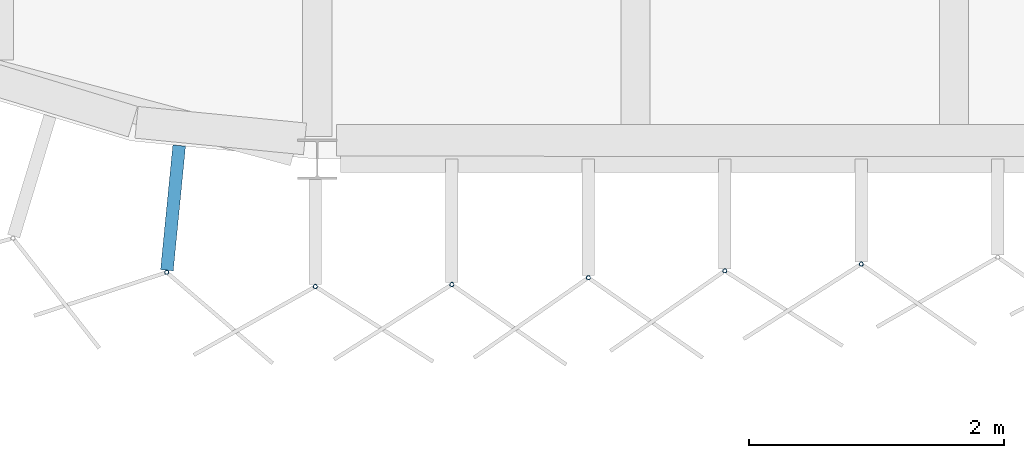
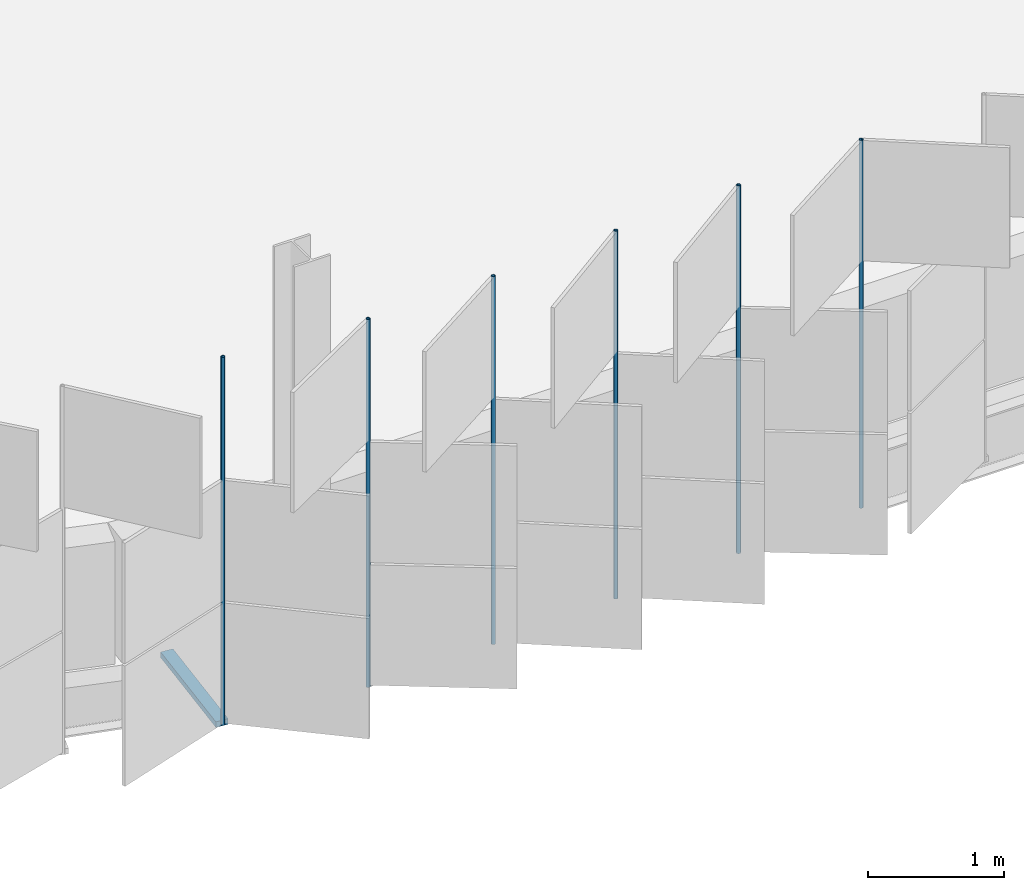
# One storey, part 65 of 198: 7 discrete accessories.
"""IFC4 building model written with IfcOpenShell, lengths in metres."""

from ifc_helpers import new_model, si_unit, direction, frame, origin, origin_2d, place, context, subcontext, project, spatial, rectangle, hollow_circle, extrude, material, material_profile, profile_set, type_object, element, save


model = new_model("IFC4")

# Units and contexts
model_context = context("Model", 3, precision=1e-05, world=origin(), true_north=direction((0.0, 1.0)))
body_context = subcontext(model_context, "Body", "Model", "MODEL_VIEW")
ifc_project = project(units=[si_unit("LENGTHUNIT", "METRE"), si_unit("AREAUNIT", "SQUARE_METRE"), si_unit("VOLUMEUNIT", "CUBIC_METRE"), si_unit("PLANEANGLEUNIT", "RADIAN"), si_unit("MASSUNIT", "GRAM", prefix="KILO")], contexts=[model_context])

# Site, building, storey
site_placement = place(None, origin())
site = spatial("IfcSite", under=ifc_project, at=site_placement, CompositionType="ELEMENT")
building_placement = place(site_placement, origin())
building = spatial("IfcBuilding", under=site, at=building_placement, Name="Parallax Yard Mobility Hub", CompositionType="ELEMENT")
storey_placement = place(building_placement, frame((0.0, 0.0, 6.60009765625)))
storey = spatial("IfcBuildingStorey", under=building, at=storey_placement, Name="L02", CompositionType="ELEMENT", Elevation=6.60009765625)

# Discrete accessories
ifc_material_1 = material(Name="Steel ASTM A36, hot-dip galvanised", Category="steel")
discrete_accessory_type_1 = type_object("IfcDiscreteAccessoryType", Name="Hinge bracket plate 100x50", PredefinedType="BRACKET", material=ifc_material_1)
discrete_accessory_placement = place(storey_placement, frame((28.8681640625, 112.117431640625, -0.02490234375), z_axis=(0.0, 0.0, 1.0), x_axis=(-0.09801714033, -0.995184726672, 0.0)))
element("IfcDiscreteAccessory", 1, at=discrete_accessory_placement, inside=storey, type_object=discrete_accessory_type_1, Name="Hinge bracket plate bay 72.11 level L02", PredefinedType="BRACKET", context=body_context, shape_type="SweptSolid", body=[
    extrude(rectangle(XDim=0.984130859375, YDim=0.10009765625, at=origin_2d()), origin(), (0.0, 0.0, 1.0), 0.050048828125),
])
ifc_material_2 = material(Name="Steel ASTM A500 Gr C, hot-dip galvanised", Category="steel")
ifc_material_profile = material_profile(ifc_material_2, hollow_circle(Radius=0.016845703125, WallThickness=0.003173828125, at=origin_2d()), Name="CHS 33.7x3.2")
ifc_profile_set = profile_set([ifc_material_profile], Name="Steel ASTM A500 Gr C, hot-dip galvanised")
discrete_accessory_type_2 = type_object("IfcDiscreteAccessoryType", Name="Hinge post CHS 33.7x3.2", PredefinedType="BRACKET", material=ifc_profile_set)
for number, where, z_axis, x_axis, name in (
    (2, (28.818359375, 111.611572265625, 0.0), (0.0, 0.0, 1.0), (1.0, 0.0, 0.0), "Hinge post bay 72.11 level L02"),
    (3, (29.9853515625, 111.5, 0.0), (0.0, 0.0, 1.0), (1.0, 0.0, 0.0), "Hinge post bay 1.1 level L02"),
    (4, (31.056884765625, 111.51611328125, 0.0), (0.0, 0.0, 1.0), (1.0, 0.0, 0.0), "Hinge post bay 1.2 level L02"),
    (5, (32.12841796875, 111.569580078125, 0.0), (0.0, 0.0, 1.0), (1.0, 0.0, 0.0), "Hinge post bay 1.3 level L02"),
    (6, (33.19970703125, 111.623291015625, 0.0), (0.0, 0.0, 1.0), (1.0, 0.0, 0.0), "Hinge post bay 1.4 level L02"),
    (7, (34.271240234375, 111.6767578125, 0.0), (0.0, 0.0, 1.0), (1.0, 0.0, 0.0), "Hinge post bay 1.5 level L02"),
):
    element("IfcDiscreteAccessory", number, at=place(storey_placement, frame(where, z_axis=z_axis, x_axis=x_axis)), inside=storey, type_object=discrete_accessory_type_2, Name=name, PredefinedType="BRACKET", context=body_context, shape_type="SweptSolid", body=[
        extrude(hollow_circle(Radius=0.016845703125, WallThickness=0.003173828125, at=origin_2d()), origin(), (0.0, 0.0, 1.0), 3.2998046875),
    ])

save(model, "model.ifc")
